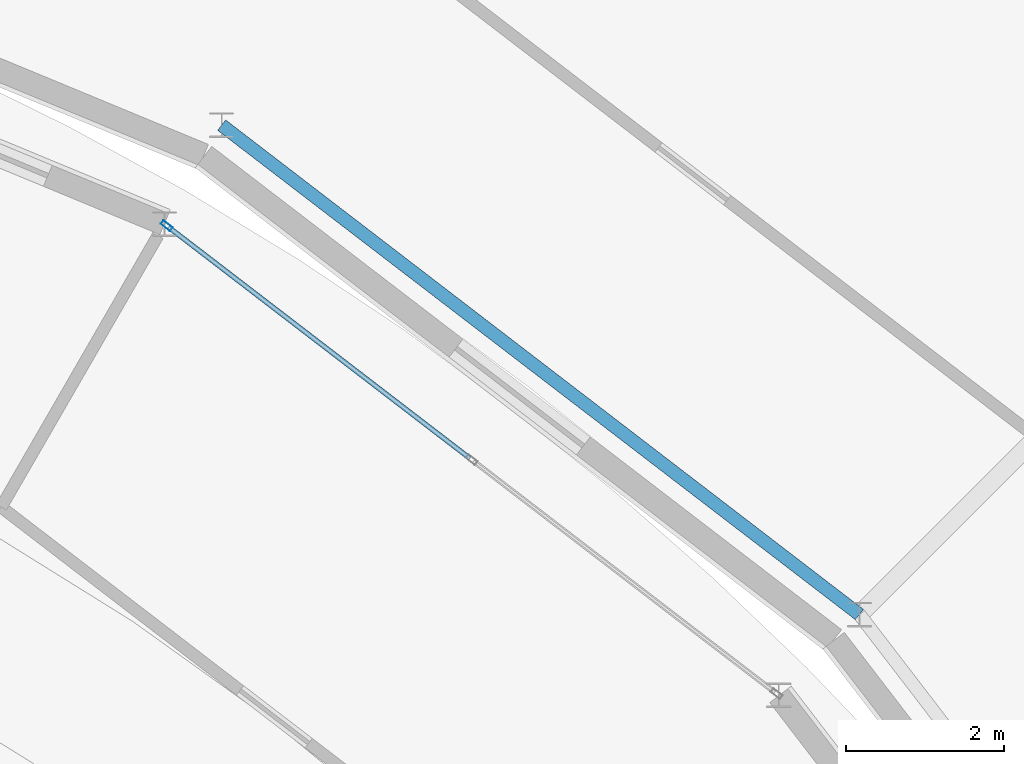
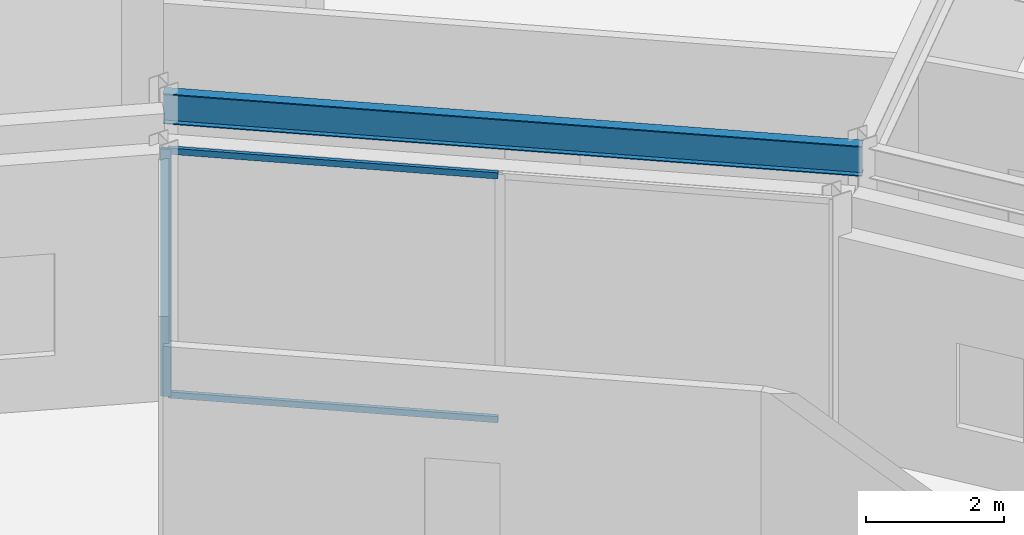
# One storey, part 58 of 116: 3 members, 1 beam, 1 element without a shape of its own.
"""IFC4 building model written with IfcOpenShell, lengths in metres."""

from ifc_helpers import new_model, si_unit, direction, frame, origin, origin_2d, place, context, subcontext, project, spatial, hollow_rectangle, i_section, extrude, material, material_profile, profile_set, type_object, element, aggregate, save


model = new_model("IFC4")

# Units and contexts
model_context = context("Model", 3, precision=1e-05, world=origin(), true_north=direction((0.0, 1.0)))
body_context = subcontext(model_context, "Body", "Model", "MODEL_VIEW")
ifc_project = project(units=[si_unit("LENGTHUNIT", "METRE"), si_unit("AREAUNIT", "SQUARE_METRE"), si_unit("VOLUMEUNIT", "CUBIC_METRE"), si_unit("PLANEANGLEUNIT", "RADIAN"), si_unit("MASSUNIT", "GRAM", prefix="KILO")], contexts=[model_context])

# Site, building, storey
site_placement = place(None, origin())
site = spatial("IfcSite", under=ifc_project, at=site_placement, CompositionType="ELEMENT")
building_placement = place(site_placement, origin())
building = spatial("IfcBuilding", under=site, at=building_placement, Name="Almandine Court Research Institute", CompositionType="ELEMENT")
storey_placement = place(building_placement, frame((0.0, 0.0, 14.35009765625)))
storey = spatial("IfcBuildingStorey", under=building, at=storey_placement, Name="L03", CompositionType="ELEMENT", Elevation=14.35009765625)

# Beam
ifc_material_1 = material(Name="Steel ASTM A992 Grade 50", Category="steel")
ifc_material_profile_1 = material_profile(ifc_material_1, i_section(OverallWidth=0.166015625, OverallDepth=0.534912109375, WebThickness=0.010009765625, FlangeThickness=0.01708984375, at=origin_2d()), Name="W530x85")
ifc_profile_set_1 = profile_set([ifc_material_profile_1], Name="Steel ASTM A992 Grade 50")
beam_type = type_object("IfcBeamType", Name="Beam-G-05-E", PredefinedType="SPANDREL", material=ifc_profile_set_1)
beam_placement = place(storey_placement, frame((114.64794921875, 83.64794921875, 4.102783203125), z_axis=(-0.793335653042, 0.608784478787, 0.0), x_axis=(-0.608784478787, -0.793335653042, 0.0)))
element("IfcBeam", 1, at=beam_placement, inside=storey, type_object=beam_type, Name="L03 Drum IN Ring Beam 03", PredefinedType="SPANDREL", context=body_context, shape_type="SweptSolid", body=[
    extrude(i_section(OverallWidth=0.166015625, OverallDepth=0.534912109375, WebThickness=0.010009765625, FlangeThickness=0.01708984375, at=origin_2d()), origin(), (0.0, 0.0, 1.0), 10.20751953125),
])

# Curtain wall, members
ifc_material_2 = material(Name="Unitised Curtain Wall Framing and Solar Glazing", Category="glass")
curtain_wall_type = type_object("IfcCurtainWallType", Name="CW-CWG-24", PredefinedType="USERDEFINED", material=ifc_material_2)
curtain_wall_placement = place(storey_placement, origin())
curtain_wall = element("IfcCurtainWall", 2, at=curtain_wall_placement, inside=storey, type_object=curtain_wall_type, Name="L03 Interaction Atrium Perimeter Curtain Wall 03", ObjectType="UNITISED GLAZING", PredefinedType="USERDEFINED")
ifc_material_3 = material(Name="Anodised Aluminium AW-6063-T6", Category="aluminium")
ifc_material_profile_2 = material_profile(ifc_material_3, hollow_rectangle(XDim=0.06005859375, YDim=0.14990234375, WallThickness=0.00390625, at=origin_2d()), Name="ALU RHS 60x150x4")
ifc_profile_set_2 = profile_set([ifc_material_profile_2], Name="Anodised Aluminium AW-6063-T6")
member_type_1 = type_object("IfcMemberType", Name="CWMul-60x150", PredefinedType="MULLION", material=ifc_profile_set_2)
member_1_placement = place(storey_placement, frame((105.851806640625, 88.585693359375, 0.0), z_axis=(0.0, 0.0, 1.0), x_axis=(0.608760667029, 0.793353924979, 0.0)))
member_1 = element("IfcMember", 3, at=member_1_placement, type_object=member_type_1, Name="CWG-24 mullion 1", PredefinedType="MULLION", context=body_context, shape_type="SweptSolid", body=[
    extrude(hollow_rectangle(XDim=0.06005859375, YDim=0.14990234375, WallThickness=0.00390625, at=origin_2d()), origin(), (0.0, 0.0, 1.0), 4.369873046875),
])
ifc_material_profile_3 = material_profile(ifc_material_3, hollow_rectangle(XDim=0.06005859375, YDim=0.110107421875, WallThickness=0.00390625, at=origin_2d()), Name="ALU RHS 60x110x4")
ifc_profile_set_3 = profile_set([ifc_material_profile_3], Name="Anodised Aluminium AW-6063-T6")
member_type_2 = type_object("IfcMemberType", Name="CWTrn-60x110", PredefinedType="NOTDEFINED", material=ifc_profile_set_3)
member_2_placement = place(storey_placement, frame((105.87548828125, 88.5673828125, 0.02978515625), z_axis=(0.793376443338, -0.608731319349, 0.0), x_axis=(0.608731319349, 0.793376443338, 0.0)))
member_2 = element("IfcMember", 4, at=member_2_placement, type_object=member_type_2, Name="CWG-24 transom 1.1", ObjectType="TRANSOM", PredefinedType="USERDEFINED", context=body_context, shape_type="SweptSolid", body=[
    extrude(hollow_rectangle(XDim=0.06005859375, YDim=0.110107421875, WallThickness=0.00390625, at=origin_2d()), origin(), (0.0, 0.0, 1.0), 4.82080078125),
])
member_3_placement = place(storey_placement, frame((105.87548828125, 88.5673828125, 4.33984375), z_axis=(0.793376443338, -0.608731319349, 0.0), x_axis=(0.608731319349, 0.793376443338, 0.0)))
member_3 = element("IfcMember", 5, at=member_3_placement, type_object=member_type_2, Name="CWG-24 transom 1.2", ObjectType="TRANSOM", PredefinedType="USERDEFINED", context=body_context, shape_type="SweptSolid", body=[
    extrude(hollow_rectangle(XDim=0.06005859375, YDim=0.110107421875, WallThickness=0.00390625, at=origin_2d()), origin(), (0.0, 0.0, 1.0), 4.82080078125),
])
aggregate(curtain_wall, [member_1, member_2, member_3])

save(model, "model.ifc")
